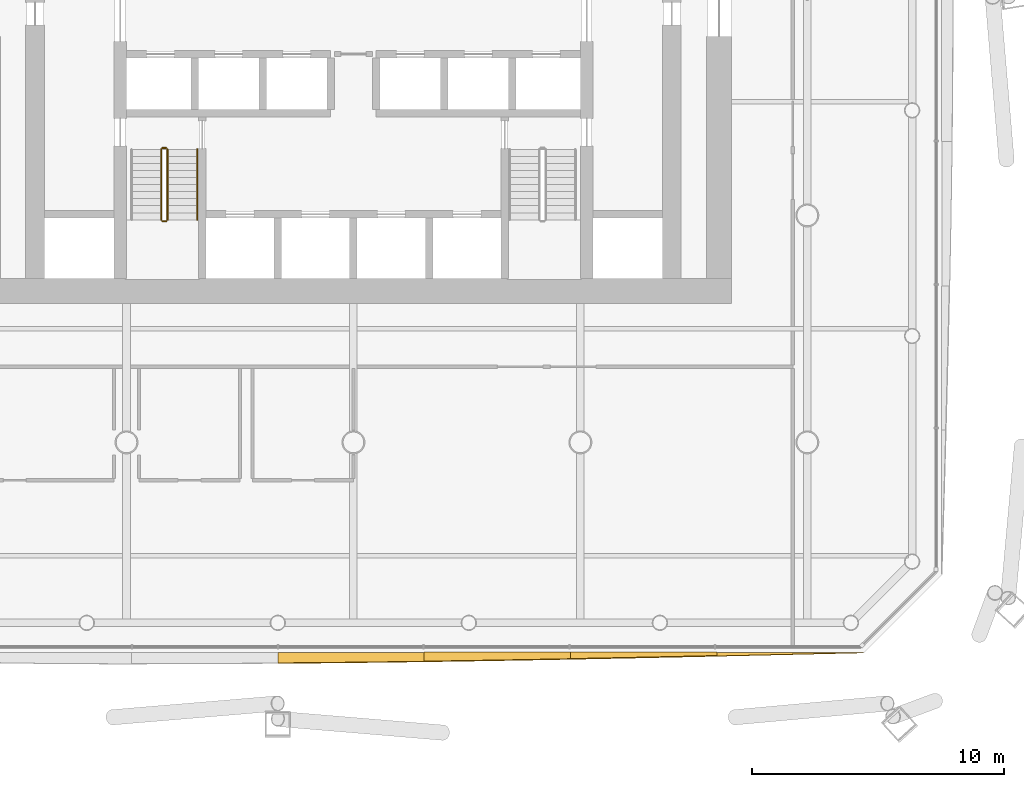
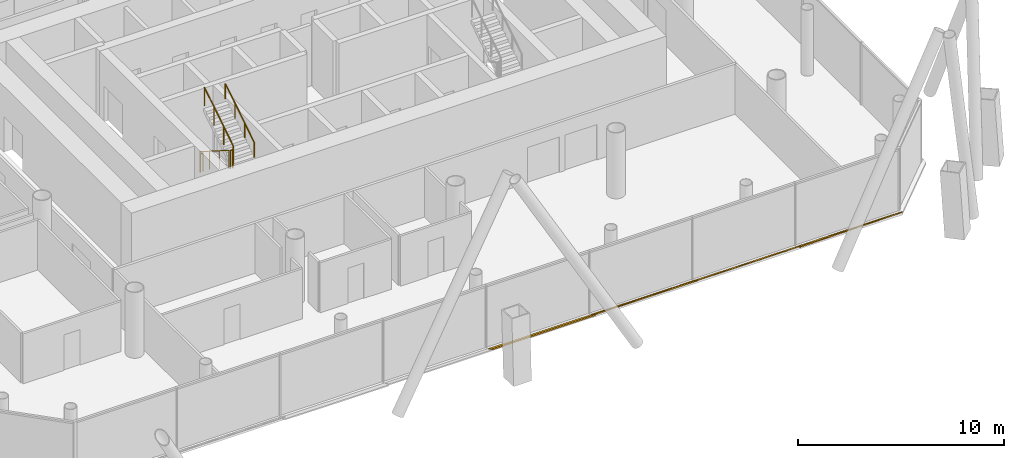
# One storey, part 18 of 21: 5 railings, 4 shading devices.
"""IFC4 building model written with IfcOpenShell, lengths in metres."""

from ifc_helpers import new_model, si_unit, direction, frame, origin, origin_2d, place, context, subcontext, project, spatial, polyline, circle, outline, extrude, material, layer, layer_set, type_object, element, save


model = new_model("IFC4")

# Units and contexts
model_context = context("Model", 3, precision=1e-05, world=origin(), true_north=direction((0.0, 1.0)))
body_context = subcontext(model_context, "Body", "Model", "MODEL_VIEW")
ifc_project = project(units=[si_unit("LENGTHUNIT", "METRE"), si_unit("AREAUNIT", "SQUARE_METRE"), si_unit("VOLUMEUNIT", "CUBIC_METRE"), si_unit("PLANEANGLEUNIT", "RADIAN"), si_unit("MASSUNIT", "GRAM", prefix="KILO")], contexts=[model_context])

# Site, building, storey
site_placement = place(None, origin())
site = spatial("IfcSite", under=ifc_project, at=site_placement, CompositionType="ELEMENT")
building_placement = place(site_placement, origin())
building = spatial("IfcBuilding", under=site, at=building_placement, Name="Tskaro Facet Tower", CompositionType="ELEMENT")
storey_placement = place(building_placement, frame((0.0, 0.0, 45.89990234375)))
storey = spatial("IfcBuildingStorey", under=building, at=storey_placement, Name="L10", CompositionType="ELEMENT", Elevation=45.89990234375)

# Shading devices
ifc_material_1 = material(Name="Bronze anodised aluminium 6063-T6", Category="aluminium")
ifc_layer = layer(ifc_material_1, 0.06005859375, Name="Bronze anodised aluminium 6063-T6")
ifc_layer_set = layer_set([ifc_layer], Name="Bronze anodised aluminium 6063-T6")
shading_device_type = type_object("IfcShadingDeviceType", Name="Bronze sun blade (FN1)", PredefinedType="USERDEFINED", material=ifc_layer_set)
shading_device_1_placement = place(storey_placement, frame((-3.0, -26.326904296875, 0.052001953125), z_axis=(-7.312862e-06, 0.500026299168, 0.86601021939), x_axis=(0.999999999973, 3.656624e-06, 6.333014e-06)))
element("IfcShadingDevice", 1, at=shading_device_1_placement, inside=storey, type_object=shading_device_type, Name="Fin blade south 5", ObjectType="FIN", PredefinedType="USERDEFINED", context=body_context, shape_type="SweptSolid", body=[
    extrude(outline(polyline([(0.0, 0.0), (5.806396484219743, 0.0), (5.806396484777574, -0.40853779793544925), (5.0805664056313935, -0.42001412212419104), (4.354980468895666, -0.4310675897604853), (3.629150390228115, -0.44145404737793487), (2.9033203126926086, -0.4510841434335145), (2.1774902338502717, -0.4600472294702495), (1.4516601561399791, -0.46825395394511454), (0.725830078669002, -0.47591574513433355), (-1.0880649745226126e-10, -0.4829105263047078), (0.0, 0.0)])), origin(), (0.0, 0.0, -1.0), 0.06005859375),
])
shading_device_2_placement = place(storey_placement, frame((2.806396484375, -26.322509765625, 0.04931640625), z_axis=(6.56727e-07, 0.573369522863, 0.819296887735), x_axis=(1.0, -3.76547e-07, -5.38055e-07)))
element("IfcShadingDevice", 2, at=shading_device_2_placement, inside=storey, type_object=shading_device_type, Name="Fin blade south 6", ObjectType="FIN", PredefinedType="USERDEFINED", context=body_context, shape_type="SweptSolid", body=[
    extrude(outline(polyline([(0.0, 0.0), (5.806640624998748, 3.074009951400189e-22), (5.806640625014896, -0.31257218384160157), (5.080810546915083, -0.32923283743164145), (4.3549804687233395, -0.3456934673674492), (3.6291503906104565, -0.36147408440745726), (2.9033203124450737, -0.3767146713453334), (2.1774902343585523, -0.39127524538740976), (1.4516601563114608, -0.4054958129815863), (0.725830078119939, -0.41897632681939884), (7.278267306906252e-12, -0.4317768277614117), (0.0, 0.0)])), origin(), (0.0, 0.0, -1.0), 0.06005859375),
])
shading_device_3_placement = place(storey_placement, frame((8.613037109375, -26.318359375, 0.046142578125), z_axis=(1.7807351e-05, 0.642577370561, 0.766220805334), x_axis=(0.999999999841, -1.1442601e-05, -1.3644363e-05)))
element("IfcShadingDevice", 3, at=shading_device_3_placement, inside=storey, type_object=shading_device_type, Name="Fin blade south 7", ObjectType="FIN", PredefinedType="USERDEFINED", context=body_context, shape_type="SweptSolid", body=[
    extrude(outline(polyline([(0.0, 0.0), (5.806396483454391, 0.0), (5.806396487072987, -0.17539449015655428), (5.08056640689689, -0.19652605898398243), (4.354736327258332, -0.21731368294419431), (3.6289062481573136, -0.23775736203718995), (2.903320310218796, -0.25785709626296927), (2.177490232192857, -0.2776128856215324), (1.4516601580356008, -0.29686785087199485), (0.725830078291137, -0.3157486848697936), (-9.157872751320256e-10, -0.3342855740003762), (0.0, 0.0)])), origin(), (0.0, 0.0, -1.0), 0.06005859375),
])
shading_device_4_placement = place(storey_placement, frame((14.41943359375, -26.33642578125, 0.056396484375), z_axis=(4.200259e-06, 0.343085226502, 0.939304278356), x_axis=(0.999999999991, -1.441047e-06, -3.945322e-06)))
element("IfcShadingDevice", 4, at=shading_device_4_placement, inside=storey, type_object=shading_device_type, Name="Fin blade south 8", ObjectType="FIN", PredefinedType="USERDEFINED", context=body_context, shape_type="SweptSolid", body=[
    extrude(outline(polyline([(0.0, 0.0), (5.80664062494878, 0.0), (5.080810546413903, -0.018230350433264375), (4.354980468842242, -0.03637693982490157), (3.6291503909187606, -0.05429420688295365), (2.9033203123838853, -0.07252455731621804), (2.1774902341085864, -0.090212502040685), (1.451660156185106, -0.10812976909873709), (0.7258300785212023, -0.12550463044799176), (-1.0591439300739918e-10, -0.14296325283887365), (0.0, 0.0)])), origin(), (0.0, 0.0, -1.0), 0.06005859375),
])

# Railings
ifc_material_2 = material(Name="Stainless steel", Category="steel")
railing_type_1 = type_object("IfcRailingType", Name="RL-GUARD-1100", PredefinedType="GUARDRAIL", material=ifc_material_2)
railing_1_placement = place(storey_placement, frame((-7.625, -6.375, 0.177490234375)))
element("IfcRailing", 5, at=railing_1_placement, inside=storey, type_object=railing_type_1, Name="L10 ST-1 stair guard 1", PredefinedType="GUARDRAIL", context=body_context, shape_type="SweptSolid", body=[
    extrude(circle(Radius=0.02392578125, at=origin_2d()), frame((0.0, 0.0, 1.076171875), z_axis=(0.0, -0.844908973607, 0.534910110503), x_axis=(1.0, 0.0, 0.0)), (0.0, 0.0, 1.0), 3.31396484375),
    extrude(circle(Radius=0.02099609375, at=origin_2d()), origin(), (0.0, 0.0, 1.0), 1.052001953125),
    extrude(circle(Radius=0.02099609375, at=origin_2d()), frame((0.0, -0.933349609375, 0.5908203125)), (0.0, 0.0, 1.0), 1.052001953125),
    extrude(circle(Radius=0.02099609375, at=origin_2d()), frame((0.0, -1.86669921875, 1.181884765625)), (0.0, 0.0, 1.0), 1.052001953125),
    extrude(circle(Radius=0.02099609375, at=origin_2d()), frame((0.0, -2.800048828125, 1.772705078125)), (0.0, 0.0, 1.0), 1.052001953125),
])
railing_2_placement = place(storey_placement, frame((-7.574951171875, -9.22509765625, 1.9501953125)))
element("IfcRailing", 6, at=railing_2_placement, inside=storey, type_object=railing_type_1, Name="L10 ST-1 stair guard 2", PredefinedType="GUARDRAIL", context=body_context, shape_type="SweptSolid", body=[
    extrude(circle(Radius=0.02392578125, at=origin_2d()), frame((0.0, 0.0, 1.076171875), z_axis=(1.0, 0.0, 0.0), x_axis=(0.0, 1.0, 0.0)), (0.0, 0.0, 1.0), 0.14990234375),
    extrude(circle(Radius=0.02099609375, at=origin_2d()), origin(), (0.0, 0.0, 1.0), 1.052001953125),
    extrude(circle(Radius=0.02099609375, at=origin_2d()), frame((0.14990234375, 0.0, 0.0)), (0.0, 0.0, 1.0), 1.052001953125),
])
railing_3_placement = place(storey_placement, frame((-7.375, -9.175048828125, 2.12744140625)))
element("IfcRailing", 7, at=railing_3_placement, inside=storey, type_object=railing_type_1, Name="L10 ST-1 stair guard 3", PredefinedType="GUARDRAIL", context=body_context, shape_type="SweptSolid", body=[
    extrude(circle(Radius=0.02392578125, at=origin_2d()), frame((0.0, 0.0, 1.076171875), z_axis=(0.0, 0.844908973607, 0.534910110503), x_axis=(-1.0, 0.0, 0.0)), (0.0, 0.0, 1.0), 3.31396484375),
    extrude(circle(Radius=0.02099609375, at=origin_2d()), origin(), (0.0, 0.0, 1.0), 1.052001953125),
    extrude(circle(Radius=0.02099609375, at=origin_2d()), frame((0.0, 0.933349609375, 0.5908203125)), (0.0, 0.0, 1.0), 1.052001953125),
    extrude(circle(Radius=0.02099609375, at=origin_2d()), frame((0.0, 1.86669921875, 1.181884765625)), (0.0, 0.0, 1.0), 1.052001953125),
    extrude(circle(Radius=0.02099609375, at=origin_2d()), frame((0.0, 2.800048828125, 1.772705078125)), (0.0, 0.0, 1.0), 1.052001953125),
])
railing_4_placement = place(storey_placement, frame((-7.574951171875, -6.324951171875, 0.0)))
element("IfcRailing", 8, at=railing_4_placement, inside=storey, type_object=railing_type_1, Name="L10 ST-1 stair guard 4", PredefinedType="GUARDRAIL", context=body_context, shape_type="SweptSolid", body=[
    extrude(circle(Radius=0.02392578125, at=origin_2d()), frame((0.0, 0.0, 1.076171875), z_axis=(1.0, 0.0, 0.0), x_axis=(0.0, 1.0, 0.0)), (0.0, 0.0, 1.0), 0.14990234375),
    extrude(circle(Radius=0.02099609375, at=origin_2d()), origin(), (0.0, 0.0, 1.0), 1.052001953125),
    extrude(circle(Radius=0.02099609375, at=origin_2d()), frame((0.14990234375, 0.0, 0.0)), (0.0, 0.0, 1.0), 1.052001953125),
])
railing_type_2 = type_object("IfcRailingType", Name="RL-HANDRAIL-900", PredefinedType="HANDRAIL", material=ifc_material_2)
railing_5_placement = place(storey_placement, frame((-6.199951171875, -9.175048828125, 2.12744140625)))
element("IfcRailing", 9, at=railing_5_placement, inside=storey, type_object=railing_type_2, Name="L10 ST-1 stair handrail 2", PredefinedType="HANDRAIL", context=body_context, shape_type="SweptSolid", body=[
    extrude(circle(Radius=0.02392578125, at=origin_2d()), frame((0.0, 0.0, 0.8759765625), z_axis=(0.0, 0.844908973607, 0.534910110503), x_axis=(-1.0, 0.0, 0.0)), (0.0, 0.0, 1.0), 3.31396484375),
    extrude(circle(Radius=0.02099609375, at=origin_2d()), origin(), (0.0, 0.0, 1.0), 0.851806640625),
    extrude(circle(Radius=0.02099609375, at=origin_2d()), frame((0.0, 0.933349609375, 0.5908203125)), (0.0, 0.0, 1.0), 0.851806640625),
    extrude(circle(Radius=0.02099609375, at=origin_2d()), frame((0.0, 1.86669921875, 1.181884765625)), (0.0, 0.0, 1.0), 0.851806640625),
    extrude(circle(Radius=0.02099609375, at=origin_2d()), frame((0.0, 2.800048828125, 1.772705078125)), (0.0, 0.0, 1.0), 0.851806640625),
])

save(model, "model.ifc")
